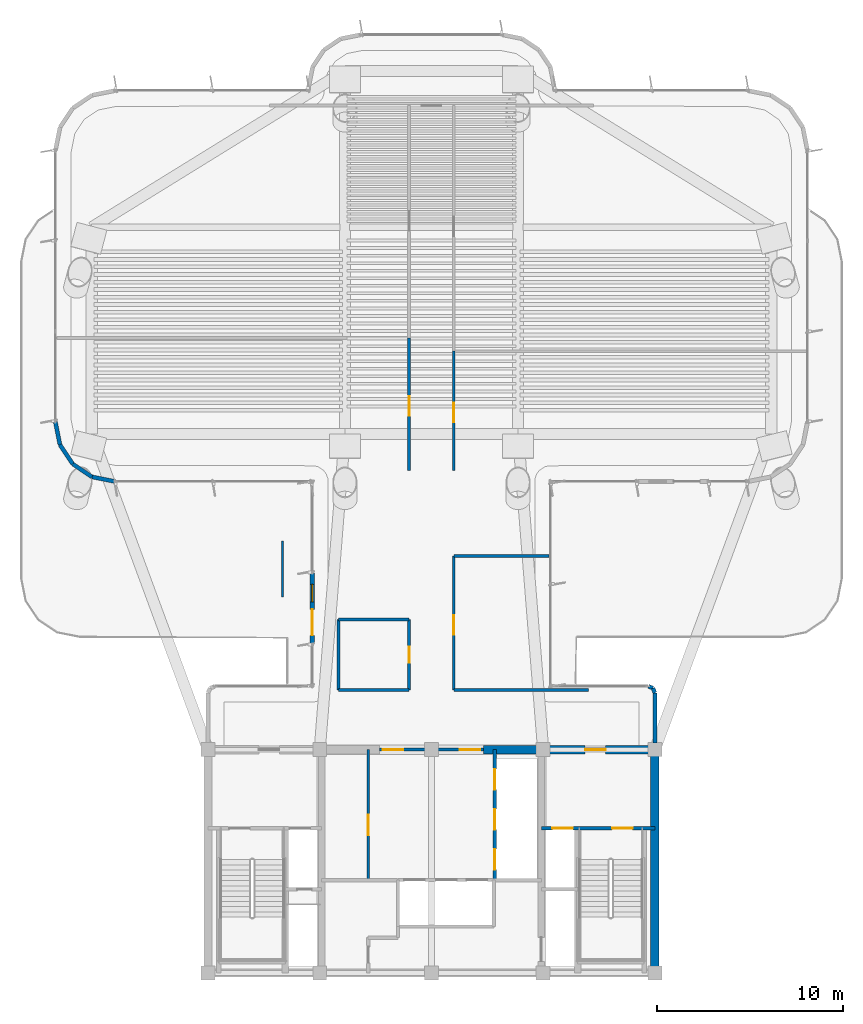
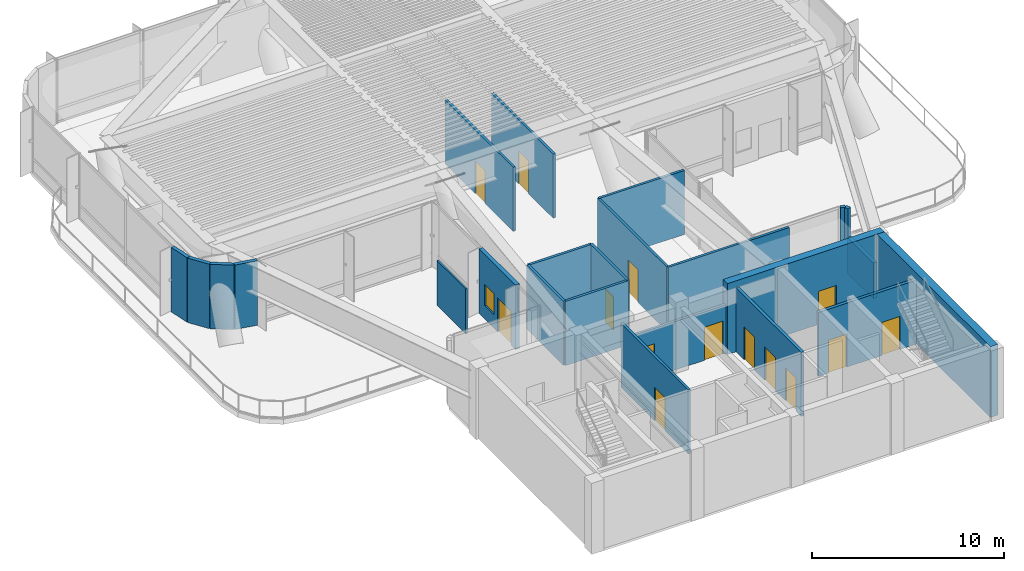
# One storey, part 9 of 13: 24 walls, 14 doors, 1 window, 15 openings.
"""IFC4 building model written with IfcOpenShell, lengths in metres."""

import ifcopenshell
import ifcopenshell.guid

model = None  # the IFC model being written
_history = None  # IfcOwnerHistory: only IFC2X3 demands one
_inside = {}  # id of a spatial element -> (the spatial element, [elements in it])
_under = {}  # id of a project, library or spatial element -> (it, [spatial elements below it])
_declared = {}  # id of a project -> (the project, [libraries it declares])
_typed = {}  # id of a type object -> (the type object, [elements of that type])
_made_of = {}  # id of a material, layer set ... -> (it, [elements and type objects made of it])


def new_model(schema):
    """Start an empty IFC model of exactly this schema.

    Asked for "IFC4X3", IfcOpenShell would pick the latest addendum, in which some entities
    have other attributes; the version numbers below select the first issue.
    IFC2X3 requires an IfcOwnerHistory on every rooted entity: one is made here for all.
    """
    global model, _history
    if schema == "IFC4X3":
        model = ifcopenshell.file(schema_version=(4, 3, 0, 0))
    else:
        model = ifcopenshell.file(schema=schema)
    _inside.clear()
    _under.clear()
    _declared.clear()
    _typed.clear()
    _made_of.clear()
    _history = None
    if model.schema == "IFC2X3":
        org = make("IfcOrganization", Name="unknown")
        user = make(
            "IfcPersonAndOrganization",
            ThePerson=make("IfcPerson", FamilyName="unknown"),
            TheOrganization=org,
        )
        app = make(
            "IfcApplication",
            ApplicationDeveloper=org,
            Version="unknown",
            ApplicationFullName="unknown",
            ApplicationIdentifier="unknown",
        )
        _history = make(
            "IfcOwnerHistory",
            OwningUser=user,
            OwningApplication=app,
            ChangeAction="ADDED",
            CreationDate=0,
        )
    return model


def make(cls, **values):
    """One entity of the class cls with the attributes given. An attribute that is None is left unset."""
    return model.create_entity(
        cls, **{name: value for name, value in values.items() if value is not None}
    )


def rooted(cls, **values):
    """An entity with a GlobalId (a new one), such as an element, a storey or a relation."""
    return make(cls, GlobalId=ifcopenshell.guid.new(), OwnerHistory=_history, **values)


def si_unit(unit_type, name, prefix=None):
    """IfcSIUnit, for example si_unit("LENGTHUNIT", "METRE", prefix="MILLI")."""
    return make("IfcSIUnit", UnitType=unit_type, Prefix=prefix, Name=name)


def assignment(units):
    """IfcUnitAssignment: the units of a project."""
    return None if units is None else make("IfcUnitAssignment", Units=units)


def point(xyz):
    """IfcCartesianPoint."""
    return None if xyz is None else make("IfcCartesianPoint", Coordinates=xyz)


def direction(xyz):
    """IfcDirection."""
    return None if xyz is None else make("IfcDirection", DirectionRatios=xyz)


def frame(location, z_axis=None, x_axis=None):
    """IfcAxis2Placement3D, a coordinate frame: its origin and axes. An axis left out is left unset."""
    return make(
        "IfcAxis2Placement3D",
        Location=point(location),
        Axis=direction(z_axis),
        RefDirection=direction(x_axis),
    )


def frame_2d(location, x_axis=None):
    """IfcAxis2Placement2D, a coordinate frame in the plane: its origin and x axis."""
    return make(
        "IfcAxis2Placement2D", Location=point(location), RefDirection=direction(x_axis)
    )


def origin():
    """The frame at (0, 0, 0) with its axes left unset."""
    return frame((0.0, 0.0, 0.0))


def origin_2d():
    """The frame at (0, 0) in the plane with its x axis left unset."""
    return frame_2d((0.0, 0.0))


def place(relative_to, where):
    """IfcLocalPlacement: puts the frame where relative to a parent placement (None: the world)."""
    return make(
        "IfcLocalPlacement", PlacementRelTo=relative_to, RelativePlacement=where
    )


def context(
    kind, dimensions, precision=None, world=None, true_north=None, identifier=None
):
    """IfcGeometricRepresentationContext, for example the 3D "Model" context."""
    return make(
        "IfcGeometricRepresentationContext",
        ContextIdentifier=identifier,
        ContextType=kind,
        CoordinateSpaceDimension=dimensions,
        Precision=precision,
        WorldCoordinateSystem=world,
        TrueNorth=true_north,
    )


def subcontext(parent, identifier, kind, view, scale=None):
    """IfcGeometricRepresentationSubContext, for example "Body" below "Model"."""
    return make(
        "IfcGeometricRepresentationSubContext",
        ContextIdentifier=identifier,
        ContextType=kind,
        ParentContext=parent,
        TargetScale=scale,
        TargetView=view,
    )


def project(units=None, contexts=None):
    """IfcProject with its units and contexts."""
    return rooted(
        "IfcProject",
        Name="project",
        RepresentationContexts=contexts,
        UnitsInContext=assignment(units),
    )


def spatial(cls, under=None, at=None, **own):
    """A site, building, storey or space (cls), placed at a placement, below another one or the project."""
    s = rooted(cls, ObjectPlacement=at, **own)
    if under is not None:
        _under.setdefault(under.id(), (under, []))[1].append(s)
    return s


def profile(cls, at=None, kind="AREA", **sizes):
    """A parametric profile (cls). Its sizes go by their IFC names, for example OverallWidth=200.0."""
    return make(cls, ProfileType=kind, Position=at, **sizes)


def rectangle(**sizes):
    """IfcRectangleProfileDef."""
    return profile("IfcRectangleProfileDef", **sizes)


def extrude(swept, where, along, depth):
    """IfcExtrudedAreaSolid: the profile swept, set in the frame where, extruded along a direction by depth."""
    return make(
        "IfcExtrudedAreaSolid",
        SweptArea=swept,
        Position=where,
        ExtrudedDirection=direction(along),
        Depth=depth,
    )


def shape(context_of_items, identifier, shape_type, items):
    """IfcShapeRepresentation: the items that make up one representation, for example the "Body"."""
    return make(
        "IfcShapeRepresentation",
        ContextOfItems=context_of_items,
        RepresentationIdentifier=identifier,
        RepresentationType=shape_type,
        Items=items,
    )


def source(mapping_origin, context_of_items, identifier, shape_type, items):
    """IfcRepresentationMap: a shape defined once, which mapped items show again and again."""
    return make(
        "IfcRepresentationMap",
        MappingOrigin=mapping_origin,
        MappedRepresentation=shape(context_of_items, identifier, shape_type, items),
    )


def transform(
    local_origin,
    x_axis=None,
    y_axis=None,
    z_axis=None,
    scale=None,
    scale2=None,
    scale3=None,
    uniform=True,
):
    """IfcCartesianTransformationOperator3D, or its non-uniform kind. x_axis, y_axis, z_axis: its Axis1, 2, 3."""
    if uniform:
        return make(
            "IfcCartesianTransformationOperator3D",
            Axis1=direction(x_axis),
            Axis2=direction(y_axis),
            LocalOrigin=point(local_origin),
            Scale=scale,
            Axis3=direction(z_axis),
        )
    return make(
        "IfcCartesianTransformationOperator3DnonUniform",
        Axis1=direction(x_axis),
        Axis2=direction(y_axis),
        LocalOrigin=point(local_origin),
        Scale=scale,
        Axis3=direction(z_axis),
        Scale2=scale2,
        Scale3=scale3,
    )


def mapped(mapping_source, mapping_target):
    """IfcMappedItem: shows the shape of a source again, moved by a transform."""
    return make(
        "IfcMappedItem", MappingSource=mapping_source, MappingTarget=mapping_target
    )


def material(Name=None, Category=None):
    """IfcMaterial."""
    return make("IfcMaterial", Name=Name, Category=Category)


def layer(
    of_material, thickness, ventilated=None, Name=None, Category=None, Priority=None
):
    """IfcMaterialLayer: one layer of a wall or slab, of a material (None: an air gap)."""
    return make(
        "IfcMaterialLayer",
        Material=of_material,
        LayerThickness=thickness,
        IsVentilated=ventilated,
        Name=Name,
        Category=Category,
        Priority=Priority,
    )


def layer_set(layers, Name=None):
    """IfcMaterialLayerSet."""
    return make("IfcMaterialLayerSet", MaterialLayers=layers, LayerSetName=Name)


def made_of(thing, what):
    """Note that an element or type object is made of a material, layer set ...; save() writes the relation."""
    if what is not None:
        _made_of.setdefault(what.id(), (what, []))[1].append(thing)
    return thing


def type_object(cls, material=None, **own):
    """A type object (cls), such as IfcWallType, which elements share."""
    return made_of(rooted(cls, **own), material)


def element(
    cls,
    number,
    at=None,
    inside=None,
    cuts=None,
    type_object=None,
    material=None,
    context=None,
    identifier="Body",
    shape_type=None,
    held_by="IfcProductDefinitionShape",
    body=None,
    shapes=None,
    **own,
):
    """One element of the class cls, such as IfcWall. Its Tag is "e" and its number.

    at: its placement. inside: the storey or other place that contains it. cuts: it is an
    opening in that element (IfcRelVoidsElement). A single representation is given by context,
    identifier, shape_type and body (its items); several are given by shapes. held_by: the class
    of the entity that holds the representations. save() writes the other relations.
    """
    e = rooted(cls, Tag="e%d" % number, ObjectPlacement=at, **own)
    if body is not None:
        shapes = [shape(context, identifier, shape_type, body)]
    if shapes is not None:
        e.Representation = make(held_by, Representations=shapes)
    if inside is not None:
        _inside.setdefault(inside.id(), (inside, []))[1].append(e)
    if cuts is not None:
        rooted(
            "IfcRelVoidsElement", RelatingBuildingElement=cuts, RelatedOpeningElement=e
        )
    if type_object is not None:
        _typed.setdefault(type_object.id(), (type_object, []))[1].append(e)
    return made_of(e, material)


def fill(opening, filler):
    """IfcRelFillsElement: the door or window that sits in an opening."""
    return rooted(
        "IfcRelFillsElement",
        RelatingOpeningElement=opening,
        RelatedBuildingElement=filler,
    )


def aggregate(whole, parts):
    """IfcRelAggregates: a whole, such as a stair, and the parts it consists of."""
    return rooted("IfcRelAggregates", RelatingObject=whole, RelatedObjects=parts)


def save(model, path):
    """Write the relations noted so far, then the file.

    IfcRelAggregates (storeys below a building ...), IfcRelContainedInSpatialStructure (elements
    in a storey), IfcRelDefinesByType, IfcRelAssociatesMaterial and IfcRelDeclares: one each for
    every whole, place, type object, material and project.
    """
    for whole, parts in _under.values():
        aggregate(whole, parts)
    for where, things in _inside.values():
        rooted(
            "IfcRelContainedInSpatialStructure",
            RelatedElements=things,
            RelatingStructure=where,
        )
    for kind, things in _typed.values():
        rooted("IfcRelDefinesByType", RelatedObjects=things, RelatingType=kind)
    for what, things in _made_of.values():
        rooted("IfcRelAssociatesMaterial", RelatedObjects=things, RelatingMaterial=what)
    for by, libraries in _declared.values():
        rooted("IfcRelDeclares", RelatingContext=by, RelatedDefinitions=libraries)
    model.write(path)


model = new_model("IFC4")

# Units and contexts
model_context = context("Model", 3, precision=1e-05, world=origin(), true_north=direction((0.0, 1.0)))
body_context = subcontext(model_context, "Body", "Model", "MODEL_VIEW")
ifc_project = project(units=[si_unit("LENGTHUNIT", "METRE"), si_unit("AREAUNIT", "SQUARE_METRE"), si_unit("VOLUMEUNIT", "CUBIC_METRE"), si_unit("PLANEANGLEUNIT", "RADIAN"), si_unit("MASSUNIT", "GRAM", prefix="KILO")], contexts=[model_context])

# Site, building, storey
site_placement = place(None, origin())
site = spatial("IfcSite", under=ifc_project, at=site_placement, CompositionType="ELEMENT")
building_placement = place(site_placement, origin())
building = spatial("IfcBuilding", under=site, at=building_placement, Name="Brelvock Crest Care Tower", CompositionType="ELEMENT")
storey_placement = place(building_placement, frame((0.0, 0.0, 151.919921875)))
storey = spatial("IfcBuildingStorey", under=building, at=storey_placement, Name="L38", CompositionType="ELEMENT", Elevation=151.919921875)

# Wall
ifc_material_1 = material(Name="Concrete S65 (65 MPa)", Category="concrete")
ifc_layer_1 = layer(ifc_material_1, 0.449951171875, Name="WL-CS3")
ifc_layer_set_1 = layer_set([ifc_layer_1], Name="Concrete S65 (65 MPa)")
wall_type_1 = type_object("IfcWallType", Name="WL-CS3", PredefinedType="SHEAR", material=ifc_layer_set_1)
wall_1_placement = place(storey_placement, frame((48.0, 18.0, 0.0), z_axis=(0.0, 0.0, 1.0), x_axis=(0.0, -1.0, 0.0)))
element("IfcWall", 1, at=wall_1_placement, inside=storey, type_object=wall_type_1, Name="L38 Core East Shear Wall", PredefinedType="SHEAR", context=body_context, shape_type="SweptSolid", body=[
    extrude(rectangle(XDim=12.0, YDim=0.449951171875, at=frame_2d((6.0, 0.0))), origin(), (0.0, 0.0, 1.0), 4.5),
])

# Wall, opening, door
wall_2_placement = place(storey_placement, frame((38.800048828125, 18.0, 0.0), z_axis=(0.0, 0.0, 1.0), x_axis=(1.0, 0.0, 0.0)))
wall_2 = element("IfcWall", 2, at=wall_2_placement, inside=storey, type_object=wall_type_1, Name="L38 Core North-East Shear Wall", PredefinedType="SHEAR", context=body_context, shape_type="SweptSolid", body=[
    extrude(rectangle(XDim=9.425048828125, YDim=0.449951171875, at=frame_2d((4.71240234375, 0.0))), origin(), (0.0, 0.0, 1.0), 4.5),
])
opening_1_placement = place(wall_2_placement, frame((5.449951171875, 0.0, 0.0)))
opening_1 = element("IfcOpeningElement", 3, at=opening_1_placement, cuts=wall_2, Name="Opening FD-1", PredefinedType="OPENING", context=body_context, shape_type="SweptSolid", body=[
    extrude(rectangle(XDim=1.10009765625, YDim=2.10009765625, at=origin_2d()), frame((0.550048828125, 0.23486328125, 1.050048828125), z_axis=(0.0, -1.0, 0.0), x_axis=(1.0, 0.0, 0.0)), (0.0, 0.0, 1.0), 0.469970703125),
])
ifc_material_2 = material(Name="Steel Grade 350", Category="steel")
door_type_1 = type_object("IfcDoorType", Name="DR-FFL1", OperationType="NOTDEFINED", PredefinedType="DOOR", material=ifc_material_2)
shared_shape_1 = source(origin(), body_context, "Body", "SweptSolid", [
    extrude(rectangle(XDim=1.10009765625, YDim=2.10009765625, at=origin_2d()), frame((0.550048828125, 0.02490234375, 1.050048828125), z_axis=(0.0, -1.0, 0.0), x_axis=(1.0, 0.0, 0.0)), (0.0, 0.0, 1.0), 0.050048828125),
])
door_1_placement = place(opening_1_placement, origin())
door_1 = element("IfcDoor", 4, at=door_1_placement, inside=storey, type_object=door_type_1, Name="L38 Firefighting Lobby FFL-2 Exit Door", OperationType="SINGLE_SWING_RIGHT", OverallHeight=2.10009765625, OverallWidth=1.10009765625, PredefinedType="DOOR", context=body_context, shape_type="MappedRepresentation", body=[
    mapped(shared_shape_1, transform((0.0, 0.0, 0.0), x_axis=(1.0, 0.0, 0.0), y_axis=(0.0, 1.0, 0.0), z_axis=(0.0, 0.0, 1.0), scale=1.0)),
])
fill(opening_1, door_1)

# Wall, openings, door, window
ifc_material_3 = material(Name="Precast concrete N40 (40 MPa)", Category="concrete")
ifc_layer_2 = layer(ifc_material_3, 0.239990234375, Name="WL-EX1")
ifc_layer_set_2 = layer_set([ifc_layer_2], Name="Precast concrete N40 (40 MPa)")
wall_type_2 = type_object("IfcWallType", Name="WL-EX1", PredefinedType="SOLIDWALL", material=ifc_layer_set_2)
wall_3_placement = place(storey_placement, frame((29.60009765625, 23.679931640625, 0.0), z_axis=(0.0, 0.0, 1.0), x_axis=(0.0, 1.0, 0.0)))
wall_3 = element("IfcWall", 5, at=wall_3_placement, inside=storey, type_object=wall_type_2, Name="L38 Exterior Spandrel Wall WL-TER-L38-11", PredefinedType="SOLIDWALL", context=body_context, shape_type="SweptSolid", body=[
    extrude(rectangle(XDim=3.800048828125, YDim=0.239990234375, at=frame_2d((1.89990234375, 0.0))), origin(), (0.0, 0.0, 1.0), 4.092041015625),
])
opening_2_placement = place(wall_3_placement, frame((0.449951171875, 0.0, 0.0)))
opening_2 = element("IfcOpeningElement", 6, at=opening_2_placement, cuts=wall_3, Name="Opening TD-1", PredefinedType="OPENING", context=body_context, shape_type="SweptSolid", body=[
    extrude(rectangle(XDim=1.39990234375, YDim=2.14990234375, at=origin_2d()), frame((0.699951171875, 0.1298828125, 1.074951171875), z_axis=(0.0, -1.0, 0.0), x_axis=(1.0, 0.0, 0.0)), (0.0, 0.0, 1.0), 0.260009765625),
])
opening_3_placement = place(wall_3_placement, frame((2.25, 0.0, 0.85009765625)))
opening_3 = element("IfcOpeningElement", 7, at=opening_3_placement, cuts=wall_3, Name="Opening W-03", PredefinedType="OPENING", context=body_context, shape_type="SweptSolid", body=[
    extrude(rectangle(XDim=0.949951171875, YDim=1.35009765625, at=origin_2d()), frame((0.47509765625, 0.1298828125, 0.675048828125), z_axis=(0.0, -1.0, 0.0), x_axis=(1.0, 0.0, 0.0)), (0.0, 0.0, 1.0), 0.260009765625),
])
ifc_material_4 = material(Name="Dark Glass Double Glazed Low-E", Category="glass")
door_type_2 = type_object("IfcDoorType", Name="DR-TER1", OperationType="NOTDEFINED", PredefinedType="DOOR", material=ifc_material_4)
shared_shape_2 = source(origin(), body_context, "Body", "SweptSolid", [
    extrude(rectangle(XDim=1.39990234375, YDim=2.14990234375, at=origin_2d()), frame((0.699951171875, 0.02490234375, 1.074951171875), z_axis=(0.0, -1.0, 0.0), x_axis=(1.0, 0.0, 0.0)), (0.0, 0.0, 1.0), 0.050048828125),
])
door_2_placement = place(opening_2_placement, origin())
door_2 = element("IfcDoor", 8, at=door_2_placement, inside=storey, type_object=door_type_2, Name="L38 Setback Terrace Glazed Door", OperationType="SINGLE_SWING_RIGHT", OverallHeight=2.14990234375, OverallWidth=1.39990234375, PredefinedType="DOOR", context=body_context, shape_type="MappedRepresentation", body=[
    mapped(shared_shape_2, transform((0.0, 0.0, 0.0), x_axis=(1.0, 0.0, 0.0), y_axis=(0.0, 1.0, 0.0), z_axis=(0.0, 0.0, 1.0), scale=1.0)),
])
fill(opening_2, door_2)
window_type = type_object("IfcWindowType", Name="WN-EX3", PartitioningType="SINGLE_PANEL", PredefinedType="WINDOW", material=ifc_material_4)
shared_shape_3 = source(origin(), body_context, "Body", "SweptSolid", [
    extrude(rectangle(XDim=0.949951171875, YDim=1.35009765625, at=origin_2d()), frame((0.47509765625, 0.030029296875, 0.675048828125), z_axis=(0.0, -1.0, 0.0), x_axis=(1.0, 0.0, 0.0)), (0.0, 0.0, 1.0), 0.06005859375),
])
window_placement = place(opening_3_placement, origin())
window = element("IfcWindow", 9, at=window_placement, inside=storey, type_object=window_type, Name="L38 Terrace Side Window", OverallHeight=1.35009765625, OverallWidth=0.949951171875, PartitioningType="SINGLE_PANEL", PredefinedType="WINDOW", context=body_context, shape_type="MappedRepresentation", body=[
    mapped(shared_shape_3, transform((0.0, 0.0, 0.0), x_axis=(1.0, 0.0, 0.0), y_axis=(0.0, 1.0, 0.0), z_axis=(0.0, 0.0, 1.0), scale=1.0)),
])
fill(opening_3, window)

# Walls
ifc_layer_3 = layer(ifc_material_3, 0.215087890625, Name="WL-EX2")
ifc_layer_set_3 = layer_set([ifc_layer_3], Name="Precast concrete N40 (40 MPa)")
wall_type_3 = type_object("IfcWallType", Name="WL-EX2", PredefinedType="SOLIDWALL", material=ifc_layer_set_3)
wall_4_placement = place(storey_placement, frame((47.8974609375, 21.297607421875, 0.0), z_axis=(0.0, 0.0, 1.0), x_axis=(0.382673670509, -0.923883575944, 0.0)))
element("IfcWall", 10, at=wall_4_placement, inside=storey, type_object=wall_type_3, Name="L38 Rounded Corner Wall 00", PredefinedType="SOLIDWALL", context=body_context, shape_type="SweptSolid", body=[
    extrude(rectangle(XDim=0.26806640625, YDim=0.215087890625, at=frame_2d((0.134033203125, 0.0))), origin(), (0.0, 0.0, 1.0), 4.092041015625),
])
wall_5_placement = place(storey_placement, frame((48.0, 21.050048828125, 0.0), z_axis=(0.0, 0.0, 1.0), x_axis=(0.0, -1.0, 0.0)))
element("IfcWall", 11, at=wall_5_placement, inside=storey, type_object=wall_type_3, Name="L38 Rounded Corner Wall 01", PredefinedType="SOLIDWALL", context=body_context, shape_type="SweptSolid", body=[
    extrude(rectangle(XDim=2.695068359375, YDim=0.215087890625, at=frame_2d((1.34765625, 0.0))), origin(), (0.0, 0.0, 1.0), 2.280029296875),
])
for number, where, z_axis, x_axis, name in (
    (12, (19.0, 32.39990234375, 0.0), (0.0, 0.0, 1.0), (-0.980775717779, 0.195138390419, 0.0), "L38 Rounded Corner Wall 13"),
    (13, (17.775390625, 32.6435546875, 0.0), (0.0, 0.0, 1.0), (-0.831387912822, 0.555692485475, 0.0), "L38 Rounded Corner Wall 14"),
    (14, (16.7373046875, 33.33740234375, 0.0), (0.0, 0.0, 1.0), (-0.555557312883, 0.831478245117, 0.0), "L38 Rounded Corner Wall 15"),
    (15, (16.043701171875, 34.37548828125, 0.0), (0.0, 0.0, 1.0), (-0.195138390419, 0.980775717779, 0.0), "L38 Rounded Corner Wall 16"),
):
    element("IfcWall", number, at=place(storey_placement, frame(where, z_axis=z_axis, x_axis=x_axis)), inside=storey, type_object=wall_type_3, Name=name, PredefinedType="SOLIDWALL", context=body_context, shape_type="SweptSolid", body=[
        extrude(rectangle(XDim=1.24853515625, YDim=0.215087890625, at=frame_2d((0.624267578125, 0.0))), origin(), (0.0, 0.0, 1.0), 4.092041015625),
    ])
wall_6_placement = place(storey_placement, frame((47.64990234375, 21.39990234375, 0.0), z_axis=(0.0, 0.0, 1.0), x_axis=(0.924205486139, -0.381895560841, 0.0)))
element("IfcWall", 16, at=wall_6_placement, inside=storey, type_object=wall_type_3, Name="L38 Rounded Corner Wall 47", PredefinedType="SOLIDWALL", context=body_context, shape_type="SweptSolid", body=[
    extrude(rectangle(XDim=0.267822265625, YDim=0.215087890625, at=frame_2d((0.1337890625, 0.0))), origin(), (0.0, 0.0, 1.0), 4.092041015625),
])

# Wall, opening, door
ifc_material_5 = material(Name="Masonry Blockwork Acoustic Partition", Category="masonry")
ifc_layer_4 = layer(ifc_material_5, 0.14990234375, Name="WL-INT1")
ifc_layer_set_4 = layer_set([ifc_layer_4], Name="Masonry Blockwork Acoustic Partition")
wall_type_4 = type_object("IfcWallType", Name="WL-INT1", PredefinedType="PARTITIONING", material=ifc_layer_set_4)
wall_7_placement = place(storey_placement, frame((32.60009765625, 11.0, 0.0), z_axis=(0.0, 0.0, 1.0), x_axis=(0.0, 1.0, 0.0)))
wall_7 = element("IfcWall", 17, at=wall_7_placement, inside=storey, type_object=wall_type_4, Name="L38 Interior Wall WL-CRCL-E-L38", PredefinedType="PARTITIONING", context=body_context, shape_type="SweptSolid", body=[
    extrude(rectangle(XDim=7.0, YDim=0.14990234375, at=frame_2d((3.5, 0.0))), origin(), (0.0, 0.0, 1.0), 4.06201171875),
])
opening_4_placement = place(wall_7_placement, frame((2.39990234375, 0.0, 0.0)))
opening_4 = element("IfcOpeningElement", 18, at=opening_4_placement, cuts=wall_7, Name="Opening PD-1", PredefinedType="OPENING", context=body_context, shape_type="SweptSolid", body=[
    extrude(rectangle(XDim=1.10009765625, YDim=2.10009765625, at=origin_2d()), frame((0.550048828125, 0.0849609375, 1.050048828125), z_axis=(0.0, -1.0, 0.0), x_axis=(1.0, 0.0, 0.0)), (0.0, 0.0, 1.0), 0.169921875),
])
door_type_3 = type_object("IfcDoorType", Name="DR-PLT1", OperationType="NOTDEFINED", PredefinedType="DOOR", material=ifc_material_2)
shared_shape_4 = source(origin(), body_context, "Body", "SweptSolid", [
    extrude(rectangle(XDim=1.10009765625, YDim=2.10009765625, at=origin_2d()), frame((0.550048828125, 0.02490234375, 1.050048828125), z_axis=(0.0, -1.0, 0.0), x_axis=(1.0, 0.0, 0.0)), (0.0, 0.0, 1.0), 0.050048828125),
])
door_3_placement = place(opening_4_placement, origin())
door_3 = element("IfcDoor", 19, at=door_3_placement, inside=storey, type_object=door_type_3, Name="DR-CRCL1-L38", OperationType="SINGLE_SWING_LEFT", OverallHeight=2.10009765625, OverallWidth=1.10009765625, PredefinedType="DOOR", context=body_context, shape_type="MappedRepresentation", body=[
    mapped(shared_shape_4, transform((0.0, 0.0, 0.0), x_axis=(1.0, 0.0, 0.0), y_axis=(0.0, 1.0, 0.0), z_axis=(0.0, 0.0, 1.0), scale=1.0)),
])
fill(opening_4, door_3)

# Wall, openings, doors
wall_8_placement = place(storey_placement, frame((33.199951171875, 18.0, 0.0), z_axis=(0.0, 0.0, 1.0), x_axis=(1.0, 0.0, 0.0)))
wall_8 = element("IfcWall", 20, at=wall_8_placement, inside=storey, type_object=wall_type_4, Name="L38 Interior Wall WL-CORE-NPORT-L38", PredefinedType="PARTITIONING", context=body_context, shape_type="SweptSolid", body=[
    extrude(rectangle(XDim=5.60009765625, YDim=0.14990234375, at=frame_2d((2.800048828125, 0.0))), origin(), (0.0, 0.0, 1.0), 3.0771484375),
])
opening_5_placement = place(wall_8_placement, frame((0.18994140625, 0.0, 0.0)))
opening_5 = element("IfcOpeningElement", 21, at=opening_5_placement, cuts=wall_8, Name="Opening FD-1", PredefinedType="OPENING", context=body_context, shape_type="SweptSolid", body=[
    extrude(rectangle(XDim=1.10009765625, YDim=2.10009765625, at=origin_2d()), frame((0.550048828125, 0.0849609375, 1.050048828125), z_axis=(0.0, -1.0, 0.0), x_axis=(1.0, 0.0, 0.0)), (0.0, 0.0, 1.0), 0.169921875),
])
opening_6_placement = place(wall_8_placement, frame((4.31005859375, 0.0, 0.0)))
opening_6 = element("IfcOpeningElement", 22, at=opening_6_placement, cuts=wall_8, Name="Opening FD-1", PredefinedType="OPENING", context=body_context, shape_type="SweptSolid", body=[
    extrude(rectangle(XDim=1.10009765625, YDim=2.10009765625, at=origin_2d()), frame((0.550048828125, 0.0849609375, 1.050048828125), z_axis=(0.0, -1.0, 0.0), x_axis=(1.0, 0.0, 0.0)), (0.0, 0.0, 1.0), 0.169921875),
])
door_4_placement = place(opening_5_placement, origin())
door_4 = element("IfcDoor", 23, at=door_4_placement, inside=storey, type_object=door_type_1, Name="L38 Lift Lobby North Smoke Door West", OperationType="SINGLE_SWING_LEFT", OverallHeight=2.10009765625, OverallWidth=1.10009765625, PredefinedType="DOOR", context=body_context, shape_type="MappedRepresentation", body=[
    mapped(shared_shape_1, transform((0.0, 0.0, 0.0), x_axis=(1.0, 0.0, 0.0), y_axis=(0.0, 1.0, 0.0), z_axis=(0.0, 0.0, 1.0), scale=1.0)),
])
fill(opening_5, door_4)
door_5_placement = place(opening_6_placement, origin())
door_5 = element("IfcDoor", 24, at=door_5_placement, inside=storey, type_object=door_type_1, Name="L38 Lift Lobby North Smoke Door East", OperationType="SINGLE_SWING_RIGHT", OverallHeight=2.10009765625, OverallWidth=1.10009765625, PredefinedType="DOOR", context=body_context, shape_type="MappedRepresentation", body=[
    mapped(shared_shape_1, transform((0.0, 0.0, 0.0), x_axis=(1.0, 0.0, 0.0), y_axis=(0.0, 1.0, 0.0), z_axis=(0.0, 0.0, 1.0), scale=1.0)),
])
fill(opening_6, door_5)

# Walls
wall_9_placement = place(storey_placement, frame((37.199951171875, 21.199951171875, 0.0), z_axis=(0.0, 0.0, 1.0), x_axis=(1.0, 0.0, 0.0)))
element("IfcWall", 25, at=wall_9_placement, inside=storey, type_object=wall_type_4, Name="L38 Interior Wall WL-BX-L38-OFF-S", PredefinedType="PARTITIONING", context=body_context, shape_type="SweptSolid", body=[
    extrude(rectangle(XDim=7.24267578125, YDim=0.14990234375, at=frame_2d((3.621337890625, 0.0))), origin(), (0.0, 0.0, 1.0), 4.06201171875),
])
wall_10_placement = place(storey_placement, frame((37.199951171875, 28.39990234375, 0.0), z_axis=(0.0, 0.0, 1.0), x_axis=(1.0, 0.0, 0.0)))
element("IfcWall", 26, at=wall_10_placement, inside=storey, type_object=wall_type_4, Name="L38 Interior Wall WL-BX-L38-OFF-N", PredefinedType="PARTITIONING", context=body_context, shape_type="SweptSolid", body=[
    extrude(rectangle(XDim=5.12109375, YDim=0.14990234375, at=frame_2d((2.560546875, 0.0))), origin(), (0.0, 0.0, 1.0), 4.06201171875),
])

# Wall, opening, door
wall_11_placement = place(storey_placement, frame((34.800048828125, 33.0, 0.0), z_axis=(0.0, 0.0, 1.0), x_axis=(0.0, 1.0, 0.0)))
wall_11 = element("IfcWall", 27, at=wall_11_placement, inside=storey, type_object=wall_type_4, Name="L38 Interior Wall WL-RM-L38-SLG", PredefinedType="PARTITIONING", context=body_context, shape_type="SweptSolid", body=[
    extrude(rectangle(XDim=7.10009765625, YDim=0.14990234375, at=frame_2d((3.550048828125, 0.0))), origin(), (0.0, 0.0, 1.0), 4.06201171875),
])
opening_7_placement = place(wall_11_placement, frame((2.925048828125, 0.0, 0.0)))
opening_7 = element("IfcOpeningElement", 28, at=opening_7_placement, cuts=wall_11, Name="Opening CLD-1", PredefinedType="OPENING", context=body_context, shape_type="SweptSolid", body=[
    extrude(rectangle(XDim=1.050048828125, YDim=2.10009765625, at=origin_2d()), frame((0.52490234375, 0.0849609375, 1.050048828125), z_axis=(0.0, -1.0, 0.0), x_axis=(1.0, 0.0, 0.0)), (0.0, 0.0, 1.0), 0.169921875),
])
ifc_material_6 = material(Name="Engineered Hardwood Timber", Category="wood")
door_type_4 = type_object("IfcDoorType", Name="DR-CLN1", OperationType="NOTDEFINED", PredefinedType="DOOR", material=ifc_material_6)
shared_shape_5 = source(origin(), body_context, "Body", "SweptSolid", [
    extrude(rectangle(XDim=1.050048828125, YDim=2.10009765625, at=origin_2d()), frame((0.52490234375, 0.02490234375, 1.050048828125), z_axis=(0.0, -1.0, 0.0), x_axis=(1.0, 0.0, 0.0)), (0.0, 0.0, 1.0), 0.050048828125),
])
door_6_placement = place(opening_7_placement, origin())
door_6 = element("IfcDoor", 29, at=door_6_placement, inside=storey, type_object=door_type_4, Name="L38 Mid-to-High Sky Transfer Salon Door SLG", OperationType="SINGLE_SWING_LEFT", OverallHeight=2.10009765625, OverallWidth=1.050048828125, PredefinedType="DOOR", context=body_context, shape_type="MappedRepresentation", body=[
    mapped(shared_shape_5, transform((0.0, 0.0, 0.0), x_axis=(1.0, 0.0, 0.0), y_axis=(0.0, 1.0, 0.0), z_axis=(0.0, 0.0, 1.0), scale=1.0)),
])
fill(opening_7, door_6)

wall_12_placement = place(storey_placement, frame((37.199951171875, 21.199951171875, 0.0), z_axis=(0.0, 0.0, 1.0), x_axis=(0.0, 1.0, 0.0)))
wall_12 = element("IfcWall", 30, at=wall_12_placement, inside=storey, type_object=wall_type_4, Name="L38 Interior Wall WL-RM-L38-OFF", PredefinedType="PARTITIONING", context=body_context, shape_type="SweptSolid", body=[
    extrude(rectangle(XDim=7.199951171875, YDim=0.14990234375, at=frame_2d((3.60009765625, 0.0))), origin(), (0.0, 0.0, 1.0), 4.06201171875),
])
opening_8_placement = place(wall_12_placement, frame((2.97509765625, 0.0, 0.0)))
opening_8 = element("IfcOpeningElement", 31, at=opening_8_placement, cuts=wall_12, Name="Opening CLD-1", PredefinedType="OPENING", context=body_context, shape_type="SweptSolid", body=[
    extrude(rectangle(XDim=1.050048828125, YDim=2.10009765625, at=origin_2d()), frame((0.52490234375, 0.0849609375, 1.050048828125), z_axis=(0.0, -1.0, 0.0), x_axis=(1.0, 0.0, 0.0)), (0.0, 0.0, 1.0), 0.169921875),
])
door_7_placement = place(opening_8_placement, origin())
door_7 = element("IfcDoor", 32, at=door_7_placement, inside=storey, type_object=door_type_4, Name="L38 Sky Concierge Office Door OFF", OperationType="SINGLE_SWING_LEFT", OverallHeight=2.10009765625, OverallWidth=1.050048828125, PredefinedType="DOOR", context=body_context, shape_type="MappedRepresentation", body=[
    mapped(shared_shape_5, transform((0.0, 0.0, 0.0), x_axis=(1.0, 0.0, 0.0), y_axis=(0.0, 1.0, 0.0), z_axis=(0.0, 0.0, 1.0), scale=1.0)),
])
fill(opening_8, door_7)

wall_13_placement = place(storey_placement, frame((37.199951171875, 33.0, 0.0), z_axis=(0.0, 0.0, 1.0), x_axis=(0.0, 1.0, 0.0)))
wall_13 = element("IfcWall", 33, at=wall_13_placement, inside=storey, type_object=wall_type_4, Name="L38 Interior Wall WL-RM-L38-KIT", PredefinedType="PARTITIONING", context=body_context, shape_type="SweptSolid", body=[
    extrude(rectangle(XDim=6.39990234375, YDim=0.14990234375, at=frame_2d((3.199951171875, 0.0))), origin(), (0.0, 0.0, 1.0), 4.06201171875),
])
opening_9_placement = place(wall_13_placement, frame((2.574951171875, 0.0, 0.0)))
opening_9 = element("IfcOpeningElement", 34, at=opening_9_placement, cuts=wall_13, Name="Opening CLD-1", PredefinedType="OPENING", context=body_context, shape_type="SweptSolid", body=[
    extrude(rectangle(XDim=1.050048828125, YDim=2.10009765625, at=origin_2d()), frame((0.52490234375, 0.0849609375, 1.050048828125), z_axis=(0.0, -1.0, 0.0), x_axis=(1.0, 0.0, 0.0)), (0.0, 0.0, 1.0), 0.169921875),
])
door_8_placement = place(opening_9_placement, origin())
door_8 = element("IfcDoor", 35, at=door_8_placement, inside=storey, type_object=door_type_4, Name="L38 Sky Dining Finishing Kitchen Door KIT", OperationType="SINGLE_SWING_LEFT", OverallHeight=2.10009765625, OverallWidth=1.050048828125, PredefinedType="DOOR", context=body_context, shape_type="MappedRepresentation", body=[
    mapped(shared_shape_5, transform((0.0, 0.0, 0.0), x_axis=(1.0, 0.0, 0.0), y_axis=(0.0, 1.0, 0.0), z_axis=(0.0, 0.0, 1.0), scale=1.0)),
])
fill(opening_9, door_8)

# Walls
ifc_material_7 = material(Name="Aluminium 6063-T6", Category="aluminium")
ifc_layer_5 = layer(ifc_material_7, 0.10009765625, Name="WL-MV1")
ifc_layer_set_5 = layer_set([ifc_layer_5], Name="Aluminium 6063-T6")
wall_type_5 = type_object("IfcWallType", Name="WL-MV1", PredefinedType="MOVABLE", material=ifc_layer_set_5)
wall_14_placement = place(storey_placement, frame((28.0, 26.199951171875, 0.0), z_axis=(0.0, 0.0, 1.0), x_axis=(0.0, 1.0, 0.0)))
element("IfcWall", 36, at=wall_14_placement, inside=storey, type_object=wall_type_5, Name="L38 Operable Acoustic Partition", PredefinedType="MOVABLE", context=body_context, shape_type="SweptSolid", body=[
    extrude(rectangle(XDim=3.0, YDim=0.10009765625, at=frame_2d((1.5, 0.0))), origin(), (0.0, 0.0, 1.0), 2.85009765625),
])
ifc_material_8 = material(Name="Gypsum Plasterboard Partition", Category="gypsum")
ifc_layer_6 = layer(ifc_material_8, 0.159912109375, Name="WL-PLM1")
ifc_layer_set_6 = layer_set([ifc_layer_6], Name="Gypsum Plasterboard Partition")
wall_type_6 = type_object("IfcWallType", Name="WL-PLM1", PredefinedType="PLUMBINGWALL", material=ifc_layer_set_6)
for number, where, z_axis, x_axis, name in (
    (37, (31.0, 21.199951171875, 0.0), (0.0, 0.0, 1.0), (1.0, 0.0, 0.0), "L38 Interior Wall WL-BX-L38-AWC-S"),
    (38, (31.0, 25.0, 0.0), (0.0, 0.0, 1.0), (1.0, 0.0, 0.0), "L38 Interior Wall WL-BX-L38-AWC-N"),
    (39, (31.0, 21.199951171875, 0.0), (0.0, 0.0, 1.0), (0.0, 1.0, 0.0), "L38 Interior Wall WL-BX-L38-AWC-W"),
):
    element("IfcWall", number, at=place(storey_placement, frame(where, z_axis=z_axis, x_axis=x_axis)), inside=storey, type_object=wall_type_6, Name=name, PredefinedType="PLUMBINGWALL", context=body_context, shape_type="SweptSolid", body=[
        extrude(rectangle(XDim=3.800048828125, YDim=0.159912109375, at=frame_2d((1.89990234375, 0.0))), origin(), (0.0, 0.0, 1.0), 4.06201171875),
    ])

# Wall, opening, door
wall_15_placement = place(storey_placement, frame((34.800048828125, 21.199951171875, 0.0), z_axis=(0.0, 0.0, 1.0), x_axis=(0.0, 1.0, 0.0)))
wall_15 = element("IfcWall", 40, at=wall_15_placement, inside=storey, type_object=wall_type_6, Name="L38 Interior Wall WL-RM-L38-AWC", PredefinedType="PLUMBINGWALL", context=body_context, shape_type="SweptSolid", body=[
    extrude(rectangle(XDim=3.800048828125, YDim=0.159912109375, at=frame_2d((1.89990234375, 0.0))), origin(), (0.0, 0.0, 1.0), 4.06201171875),
])
opening_10_placement = place(wall_15_placement, frame((1.469970703125, 0.0, 0.0)))
opening_10 = element("IfcOpeningElement", 41, at=opening_10_placement, cuts=wall_15, Name="Opening WD-1", PredefinedType="OPENING", context=body_context, shape_type="SweptSolid", body=[
    extrude(rectangle(XDim=0.860107421875, YDim=2.10009765625, at=origin_2d()), frame((0.43017578125, 0.08984375, 1.050048828125), z_axis=(0.0, -1.0, 0.0), x_axis=(1.0, 0.0, 0.0)), (0.0, 0.0, 1.0), 0.179931640625),
])
door_type_5 = type_object("IfcDoorType", Name="DR-WC1", OperationType="NOTDEFINED", PredefinedType="DOOR", material=ifc_material_6)
shared_shape_6 = source(origin(), body_context, "Body", "SweptSolid", [
    extrude(rectangle(XDim=0.860107421875, YDim=2.10009765625, at=origin_2d()), frame((0.43017578125, 0.02490234375, 1.050048828125), z_axis=(0.0, -1.0, 0.0), x_axis=(1.0, 0.0, 0.0)), (0.0, 0.0, 1.0), 0.050048828125),
])
door_9_placement = place(opening_10_placement, origin())
door_9 = element("IfcDoor", 42, at=door_9_placement, inside=storey, type_object=door_type_5, Name="L38 Sky Salon Accessible WC Door AWC", OperationType="SINGLE_SWING_LEFT", OverallHeight=2.10009765625, OverallWidth=0.860107421875, PredefinedType="DOOR", context=body_context, shape_type="MappedRepresentation", body=[
    mapped(shared_shape_6, transform((0.0, 0.0, 0.0), x_axis=(1.0, 0.0, 0.0), y_axis=(0.0, 1.0, 0.0), z_axis=(0.0, 0.0, 1.0), scale=1.0)),
])
fill(opening_10, door_9)

# Wall, openings, doors
ifc_layer_7 = layer(ifc_material_5, 0.179931640625, Name="WL-SHF1")
ifc_layer_set_7 = layer_set([ifc_layer_7], Name="Masonry Blockwork Acoustic Partition")
wall_type_7 = type_object("IfcWallType", Name="WL-SHF1", PredefinedType="PARTITIONING", material=ifc_layer_set_7)
wall_16_placement = place(storey_placement, frame((41.89990234375, 13.780029296875, 0.0), z_axis=(0.0, 0.0, 1.0), x_axis=(1.0, 0.0, 0.0)))
wall_16 = element("IfcWall", 43, at=wall_16_placement, inside=storey, type_object=wall_type_7, Name="L38 Interior Wall WL-ST2-N-L38", PredefinedType="PARTITIONING", context=body_context, shape_type="SweptSolid", body=[
    extrude(rectangle(XDim=6.10009765625, YDim=0.179931640625, at=frame_2d((3.050048828125, 0.0))), origin(), (0.0, 0.0, 1.0), 4.06201171875),
])
opening_11_placement = place(wall_16_placement, frame((0.60009765625, 0.0, 0.0)))
opening_11 = element("IfcOpeningElement", 44, at=opening_11_placement, cuts=wall_16, Name="Opening LD", PredefinedType="OPENING", context=body_context, shape_type="SweptSolid", body=[
    extrude(rectangle(XDim=1.10009765625, YDim=2.10009765625, at=origin_2d()), frame((0.550048828125, 0.10009765625, 1.050048828125), z_axis=(0.0, -1.0, 0.0), x_axis=(1.0, 0.0, 0.0)), (0.0, 0.0, 1.0), 0.199951171875),
])
opening_12_placement = place(wall_16_placement, frame((3.800048828125, 0.0, 0.0)))
opening_12 = element("IfcOpeningElement", 45, at=opening_12_placement, cuts=wall_16, Name="Opening SD-1", PredefinedType="OPENING", context=body_context, shape_type="SweptSolid", body=[
    extrude(rectangle(XDim=1.10009765625, YDim=2.10009765625, at=origin_2d()), frame((0.550048828125, 0.10009765625, 1.050048828125), z_axis=(0.0, -1.0, 0.0), x_axis=(1.0, 0.0, 0.0)), (0.0, 0.0, 1.0), 0.199951171875),
])
door_type_6 = type_object("IfcDoorType", Name="DR-ST1", OperationType="NOTDEFINED", PredefinedType="DOOR", material=ifc_material_2)
shared_shape_7 = source(origin(), body_context, "Body", "SweptSolid", [
    extrude(rectangle(XDim=1.10009765625, YDim=2.10009765625, at=origin_2d()), frame((0.550048828125, 0.02490234375, 1.050048828125), z_axis=(0.0, -1.0, 0.0), x_axis=(1.0, 0.0, 0.0)), (0.0, 0.0, 1.0), 0.050048828125),
])
door_10_placement = place(opening_12_placement, origin())
door_10 = element("IfcDoor", 46, at=door_10_placement, inside=storey, type_object=door_type_6, Name="L38 Fire Stair ST-2 Door", OperationType="SINGLE_SWING_RIGHT", OverallHeight=2.10009765625, OverallWidth=1.10009765625, PredefinedType="DOOR", context=body_context, shape_type="MappedRepresentation", body=[
    mapped(shared_shape_7, transform((0.0, 0.0, 0.0), x_axis=(1.0, 0.0, 0.0), y_axis=(0.0, 1.0, 0.0), z_axis=(0.0, 0.0, 1.0), scale=1.0)),
])
fill(opening_12, door_10)
door_type_7 = type_object("IfcDoorType", Name="DR-LD1", OperationType="NOTDEFINED", PredefinedType="DOOR", material=ifc_material_2)
shared_shape_8 = source(origin(), body_context, "Body", "SweptSolid", [
    extrude(rectangle(XDim=1.10009765625, YDim=2.10009765625, at=origin_2d()), frame((0.550048828125, 0.02490234375, 1.050048828125), z_axis=(0.0, -1.0, 0.0), x_axis=(1.0, 0.0, 0.0)), (0.0, 0.0, 1.0), 0.050048828125),
])
door_11_placement = place(opening_11_placement, origin())
door_11 = element("IfcDoor", 47, at=door_11_placement, inside=storey, type_object=door_type_7, Name="L38 Firefighting Lift FFL-2 Landing Door", OperationType="SLIDING_TO_RIGHT", OverallHeight=2.10009765625, OverallWidth=1.10009765625, PredefinedType="DOOR", context=body_context, shape_type="MappedRepresentation", body=[
    mapped(shared_shape_8, transform((0.0, 0.0, 0.0), x_axis=(1.0, 0.0, 0.0), y_axis=(0.0, 1.0, 0.0), z_axis=(0.0, 0.0, 1.0), scale=1.0)),
])
fill(opening_11, door_11)

wall_17_placement = place(storey_placement, frame((39.39990234375, 11.0, 0.0), z_axis=(0.0, 0.0, 1.0), x_axis=(0.0, 1.0, 0.0)))
wall_17 = element("IfcWall", 48, at=wall_17_placement, inside=storey, type_object=wall_type_7, Name="L38 Interior Wall WL-PLH-BANK-L38", PredefinedType="PARTITIONING", context=body_context, shape_type="SweptSolid", body=[
    extrude(rectangle(XDim=7.0, YDim=0.179931640625, at=frame_2d((3.5, 0.0))), origin(), (0.0, 0.0, 1.0), 4.06201171875),
])
opening_13_placement = place(wall_17_placement, frame((0.550048828125, 0.0, 0.0)))
opening_13 = element("IfcOpeningElement", 49, at=opening_13_placement, cuts=wall_17, Name="Opening LD", PredefinedType="OPENING", context=body_context, shape_type="SweptSolid", body=[
    extrude(rectangle(XDim=1.10009765625, YDim=2.10009765625, at=origin_2d()), frame((0.550048828125, 0.10009765625, 1.050048828125), z_axis=(0.0, -1.0, 0.0), x_axis=(1.0, 0.0, 0.0)), (0.0, 0.0, 1.0), 0.199951171875),
])
opening_14_placement = place(wall_17_placement, frame((2.699951171875, 0.0, 0.0)))
opening_14 = element("IfcOpeningElement", 50, at=opening_14_placement, cuts=wall_17, Name="Opening LD", PredefinedType="OPENING", context=body_context, shape_type="SweptSolid", body=[
    extrude(rectangle(XDim=1.10009765625, YDim=2.10009765625, at=origin_2d()), frame((0.550048828125, 0.10009765625, 1.050048828125), z_axis=(0.0, -1.0, 0.0), x_axis=(1.0, 0.0, 0.0)), (0.0, 0.0, 1.0), 0.199951171875),
])
opening_15_placement = place(wall_17_placement, frame((4.85009765625, 0.0, 0.0)))
opening_15 = element("IfcOpeningElement", 51, at=opening_15_placement, cuts=wall_17, Name="Opening LD", PredefinedType="OPENING", context=body_context, shape_type="SweptSolid", body=[
    extrude(rectangle(XDim=1.10009765625, YDim=2.10009765625, at=origin_2d()), frame((0.550048828125, 0.10009765625, 1.050048828125), z_axis=(0.0, -1.0, 0.0), x_axis=(1.0, 0.0, 0.0)), (0.0, 0.0, 1.0), 0.199951171875),
])
door_12_placement = place(opening_13_placement, origin())
door_12 = element("IfcDoor", 52, at=door_12_placement, inside=storey, type_object=door_type_7, Name="L38 Lift PL-H1 Landing Door", OperationType="SLIDING_TO_RIGHT", OverallHeight=2.10009765625, OverallWidth=1.10009765625, PredefinedType="DOOR", context=body_context, shape_type="MappedRepresentation", body=[
    mapped(shared_shape_8, transform((0.0, 0.0, 0.0), x_axis=(1.0, 0.0, 0.0), y_axis=(0.0, 1.0, 0.0), z_axis=(0.0, 0.0, 1.0), scale=1.0)),
])
fill(opening_13, door_12)
door_13_placement = place(opening_14_placement, origin())
door_13 = element("IfcDoor", 53, at=door_13_placement, inside=storey, type_object=door_type_7, Name="L38 Lift PL-H2 Landing Door", OperationType="SLIDING_TO_RIGHT", OverallHeight=2.10009765625, OverallWidth=1.10009765625, PredefinedType="DOOR", context=body_context, shape_type="MappedRepresentation", body=[
    mapped(shared_shape_8, transform((0.0, 0.0, 0.0), x_axis=(1.0, 0.0, 0.0), y_axis=(0.0, 1.0, 0.0), z_axis=(0.0, 0.0, 1.0), scale=1.0)),
])
fill(opening_14, door_13)
door_14_placement = place(opening_15_placement, origin())
door_14 = element("IfcDoor", 54, at=door_14_placement, inside=storey, type_object=door_type_7, Name="L38 Lift PL-H3 Landing Door", OperationType="SLIDING_TO_RIGHT", OverallHeight=2.10009765625, OverallWidth=1.10009765625, PredefinedType="DOOR", context=body_context, shape_type="MappedRepresentation", body=[
    mapped(shared_shape_8, transform((0.0, 0.0, 0.0), x_axis=(1.0, 0.0, 0.0), y_axis=(0.0, 1.0, 0.0), z_axis=(0.0, 0.0, 1.0), scale=1.0)),
])
fill(opening_15, door_14)

save(model, "model.ifc")
